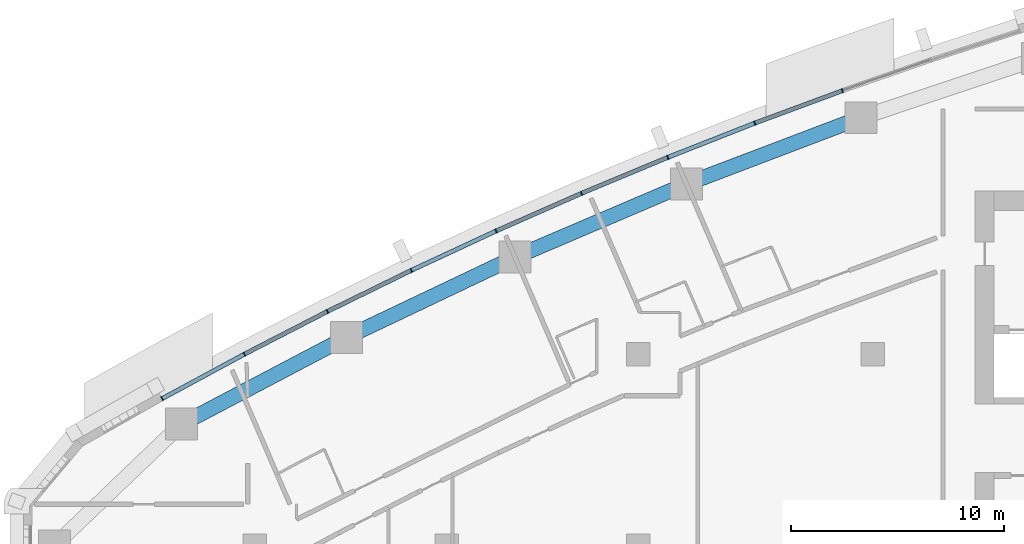
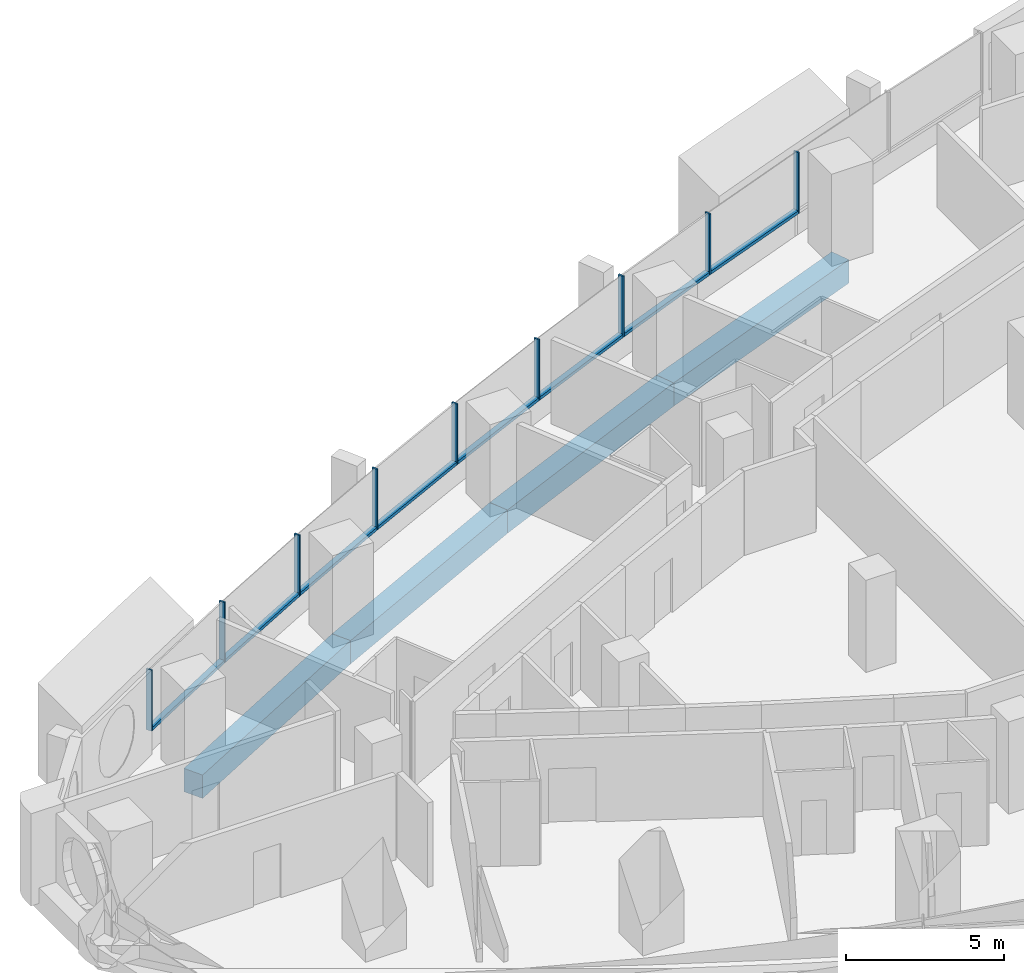
# One storey, part 5 of 17: 17 members, 4 beams, 5 elements without a shape of their own.
"""IFC4 building model written with IfcOpenShell, lengths in metres."""

from ifc_helpers import new_model, si_unit, direction, frame, origin, origin_2d, place, context, subcontext, project, spatial, rectangle, extrude, material, layer, layer_set, material_profile, profile_set, type_object, element, aggregate, save


model = new_model("IFC4")

# Units and contexts
model_context = context("Model", 3, precision=1e-05, world=origin(), true_north=direction((0.0, 1.0)))
body_context = subcontext(model_context, "Body", "Model", "MODEL_VIEW")
ifc_project = project(units=[si_unit("LENGTHUNIT", "METRE"), si_unit("AREAUNIT", "SQUARE_METRE"), si_unit("VOLUMEUNIT", "CUBIC_METRE"), si_unit("PLANEANGLEUNIT", "RADIAN"), si_unit("MASSUNIT", "GRAM", prefix="KILO")], contexts=[model_context])

# Site, building, storey
site_placement = place(None, origin())
site = spatial("IfcSite", under=ifc_project, at=site_placement, CompositionType="ELEMENT")
building_placement = place(site_placement, origin())
building = spatial("IfcBuilding", under=site, at=building_placement, Name="Ostrand Prow Hotel Tower", CompositionType="ELEMENT")
storey_placement = place(building_placement, frame((0.0, 0.0, 130.199951171875)))
storey = spatial("IfcBuildingStorey", under=building, at=storey_placement, Name="L31", CompositionType="ELEMENT", Elevation=130.199951171875)

# Beams
ifc_material_1 = material(Name="Concrete C70/85", Category="concrete")
ifc_material_profile_1 = material_profile(ifc_material_1, rectangle(XDim=0.699951171875, YDim=0.89990234375, at=origin_2d()), Name="RC 700x900")
ifc_profile_set_1 = profile_set([ifc_material_profile_1], Name="Concrete C70/85")
beam_type = type_object("IfcBeamType", Name="Edge beam 700x900 C70/85", PredefinedType="SPANDREL", material=ifc_profile_set_1)
for number, where, z_axis, x_axis, name in (
    (1, (44.438232421875, 20.093017578125, -0.75), (-0.93479358236, -0.355191439055, 0.0), (0.355191439055, -0.93479358236, 0.0), "Edge beam N2-N3"),
    (2, (36.255615234375, 16.98388671875, -0.75), (-0.919700966994, -0.392619575811, 0.0), (0.392619575811, -0.919700966994, 0.0), "Edge beam N3-N4"),
    (3, (28.205078125, 13.547119140625, -0.75), (-0.903083113352, -0.429465819803, 0.0), (0.429465819803, -0.903083113352, 0.0), "Edge beam N4-N5"),
    (4, (20.300048828125, 9.787841796875, -0.75), (-0.885016215308, -0.465560198731, 0.0), (0.465560198731, -0.885016215308, 0.0), "Edge beam N5-N6"),
):
    element("IfcBeam", number, at=place(storey_placement, frame(where, z_axis=z_axis, x_axis=x_axis)), inside=storey, type_object=beam_type, Name=name, PredefinedType="SPANDREL", context=body_context, shape_type="SweptSolid", body=[
        extrude(rectangle(XDim=0.699951171875, YDim=0.89990234375, at=origin_2d()), origin(), (0.0, 0.0, 1.0), 8.75341796875),
    ])

# Curtain wall, member
ifc_material_2 = material(Name="Insulated glass in bronze anodised frame", Category="glass")
ifc_layer = layer(ifc_material_2, 0.199951171875)
ifc_layer_set = layer_set([ifc_layer], Name="Insulated glass in bronze anodised frame")
curtain_wall_type = type_object("IfcCurtainWallType", Name="Strip curtain wall, fritted glass over bronze spandrel", PredefinedType="NOTDEFINED", material=ifc_layer_set)
curtain_wall_1_placement = place(storey_placement, origin())
curtain_wall_1 = element("IfcCurtainWall", 5, at=curtain_wall_1_placement, inside=storey, type_object=curtain_wall_type, Name="CW1 run CWN1", PredefinedType="NOTDEFINED")
ifc_material_3 = material(Name="Bronze anodised aluminium", Category="aluminium")
ifc_material_profile_2 = material_profile(ifc_material_3, rectangle(XDim=0.199951171875, YDim=0.06005859375, at=origin_2d()), Name="Mullion 60x200 bronze anodised aluminium")
ifc_profile_set_2 = profile_set([ifc_material_profile_2], Name="Bronze anodised aluminium")
member_type_1 = type_object("IfcMemberType", Name="Mullion 60x200 bronze anodised aluminium", PredefinedType="MULLION", material=ifc_profile_set_2)
member_1_placement = place(storey_placement, frame((43.5751953125, 21.3642578125, 0.900146484375), z_axis=(0.0, 0.0, 1.0), x_axis=(0.328428177424, -0.944528947293, 0.0)))
member_1 = element("IfcMember", 6, at=member_1_placement, type_object=member_type_1, Name="CW1 mullion 3", PredefinedType="MULLION", context=body_context, shape_type="SweptSolid", body=[
    extrude(rectangle(XDim=0.199951171875, YDim=0.06005859375, at=origin_2d()), origin(), (0.0, 0.0, 1.0), 2.349853515625),
])
aggregate(curtain_wall_1, [member_1])

# Curtain wall, members
curtain_wall_2_placement = place(storey_placement, origin())
curtain_wall_2 = element("IfcCurtainWall", 7, at=curtain_wall_2_placement, inside=storey, type_object=curtain_wall_type, Name="CW1 run CWN2", PredefinedType="NOTDEFINED")
member_2_placement = place(storey_placement, frame((39.462158203125, 19.8408203125, 0.900146484375), z_axis=(0.0, 0.0, 1.0), x_axis=(0.366116334636, -0.930569089059, 0.0)))
member_2 = element("IfcMember", 8, at=member_2_placement, type_object=member_type_1, Name="CW1 mullion 2", PredefinedType="MULLION", context=body_context, shape_type="SweptSolid", body=[
    extrude(rectangle(XDim=0.199951171875, YDim=0.06005859375, at=origin_2d()), origin(), (0.0, 0.0, 1.0), 2.349853515625),
])
member_3_placement = place(storey_placement, frame((35.380615234375, 18.235107421875, 0.900146484375), z_axis=(0.0, 0.0, 1.0), x_axis=(0.366116334636, -0.930569089059, 0.0)))
member_3 = element("IfcMember", 9, at=member_3_placement, type_object=member_type_1, Name="CW1 mullion 3", PredefinedType="MULLION", context=body_context, shape_type="SweptSolid", body=[
    extrude(rectangle(XDim=0.199951171875, YDim=0.06005859375, at=origin_2d()), origin(), (0.0, 0.0, 1.0), 2.349853515625),
])

curtain_wall_3_placement = place(storey_placement, origin())
curtain_wall_3 = element("IfcCurtainWall", 10, at=curtain_wall_3_placement, inside=storey, type_object=curtain_wall_type, Name="CW1 run CWN3", PredefinedType="NOTDEFINED")
member_4_placement = place(storey_placement, frame((31.332275390625, 16.54736328125, 0.900146484375), z_axis=(0.0, 0.0, 1.0), x_axis=(0.403213113347, -0.915106105993, 0.0)))
member_4 = element("IfcMember", 11, at=member_4_placement, type_object=member_type_1, Name="CW1 mullion 2", PredefinedType="MULLION", context=body_context, shape_type="SweptSolid", body=[
    extrude(rectangle(XDim=0.199951171875, YDim=0.06005859375, at=origin_2d()), origin(), (0.0, 0.0, 1.0), 2.349853515625),
])
member_5_placement = place(storey_placement, frame((27.318359375, 14.77880859375, 0.900146484375), z_axis=(0.0, 0.0, 1.0), x_axis=(0.403213113347, -0.915106105993, 0.0)))
member_5 = element("IfcMember", 12, at=member_5_placement, type_object=member_type_1, Name="CW1 mullion 3", PredefinedType="MULLION", context=body_context, shape_type="SweptSolid", body=[
    extrude(rectangle(XDim=0.199951171875, YDim=0.06005859375, at=origin_2d()), origin(), (0.0, 0.0, 1.0), 2.349853515625),
])

curtain_wall_4_placement = place(storey_placement, origin())
curtain_wall_4 = element("IfcCurtainWall", 13, at=curtain_wall_4_placement, inside=storey, type_object=curtain_wall_type, Name="CW1 run CWN4", PredefinedType="NOTDEFINED")
member_6_placement = place(storey_placement, frame((23.341064453125, 12.93017578125, 0.900146484375), z_axis=(0.0, 0.0, 1.0), x_axis=(0.439658592061, -0.898164975061, 0.0)))
member_6 = element("IfcMember", 14, at=member_6_placement, type_object=member_type_1, Name="CW1 mullion 2", PredefinedType="MULLION", context=body_context, shape_type="SweptSolid", body=[
    extrude(rectangle(XDim=0.199951171875, YDim=0.06005859375, at=origin_2d()), origin(), (0.0, 0.0, 1.0), 2.349853515625),
])
member_7_placement = place(storey_placement, frame((19.401611328125, 11.001708984375, 0.900146484375), z_axis=(0.0, 0.0, 1.0), x_axis=(0.439658592061, -0.898164975061, 0.0)))
member_7 = element("IfcMember", 15, at=member_7_placement, type_object=member_type_1, Name="CW1 mullion 3", PredefinedType="MULLION", context=body_context, shape_type="SweptSolid", body=[
    extrude(rectangle(XDim=0.199951171875, YDim=0.06005859375, at=origin_2d()), origin(), (0.0, 0.0, 1.0), 2.349853515625),
])

curtain_wall_5_placement = place(storey_placement, origin())
curtain_wall_5 = element("IfcCurtainWall", 16, at=curtain_wall_5_placement, inside=storey, type_object=curtain_wall_type, Name="CW1 run CWN5", PredefinedType="NOTDEFINED")
member_8_placement = place(storey_placement, frame((15.501708984375, 8.99462890625, 0.900146484375), z_axis=(0.0, 0.0, 1.0), x_axis=(0.475393901316, -0.879773060847, 0.0)))
member_8 = element("IfcMember", 17, at=member_8_placement, type_object=member_type_1, Name="CW1 mullion 2", PredefinedType="MULLION", context=body_context, shape_type="SweptSolid", body=[
    extrude(rectangle(XDim=0.199951171875, YDim=0.06005859375, at=origin_2d()), origin(), (0.0, 0.0, 1.0), 2.349853515625),
])
member_9_placement = place(storey_placement, frame((11.64306640625, 6.909423828125, 0.900146484375), z_axis=(0.0, 0.0, 1.0), x_axis=(0.475393901316, -0.879773060847, 0.0)))
member_9 = element("IfcMember", 18, at=member_9_placement, type_object=member_type_1, Name="CW1 mullion 3", PredefinedType="MULLION", context=body_context, shape_type="SweptSolid", body=[
    extrude(rectangle(XDim=0.199951171875, YDim=0.06005859375, at=origin_2d()), origin(), (0.0, 0.0, 1.0), 2.349853515625),
])

# Member
ifc_material_4 = material(Name="Bronze anodised aluminium", Category="aluminium")
ifc_material_profile_3 = material_profile(ifc_material_4, rectangle(XDim=0.199951171875, YDim=0.1201171875, at=origin_2d()), Name="Transom 120x200 bronze anodised aluminium")
ifc_profile_set_3 = profile_set([ifc_material_profile_3], Name="Bronze anodised aluminium")
member_type_2 = type_object("IfcMemberType", Name="Transom 120x200 bronze anodised aluminium", PredefinedType="USERDEFINED", material=ifc_profile_set_3)
member_10_placement = place(storey_placement, frame((43.547119140625, 21.353759765625, 0.9599609375), z_axis=(-0.937756929379, -0.347292299657, 0.0), x_axis=(0.347292299657, -0.937756929379, 0.0)))
member_10 = element("IfcMember", 19, at=member_10_placement, type_object=member_type_2, Name="CW1 transom 1.1", ObjectType="TRANSOM", PredefinedType="USERDEFINED", context=body_context, shape_type="SweptSolid", body=[
    extrude(rectangle(XDim=0.199951171875, YDim=0.1201171875, at=origin_2d()), origin(), (0.0, 0.0, 1.0), 4.326171875),
])

member_11_placement = place(storey_placement, frame((39.434326171875, 19.829833984375, 0.9599609375), z_axis=(-0.930563430162, -0.366130717701, 0.0), x_axis=(0.366130717701, -0.930563430162, 0.0)))
member_11 = element("IfcMember", 20, at=member_11_placement, type_object=member_type_2, Name="CW1 transom 2.1", ObjectType="TRANSOM", PredefinedType="USERDEFINED", context=body_context, shape_type="SweptSolid", body=[
    extrude(rectangle(XDim=0.199951171875, YDim=0.1201171875, at=origin_2d()), origin(), (0.0, 0.0, 1.0), 4.326171875),
])

aggregate(curtain_wall_2, [member_2, member_3, member_10, member_11])

member_12_placement = place(storey_placement, frame((35.352783203125, 18.223388671875, 0.9599609375), z_axis=(-0.923028493412, -0.384731595206, 0.0), x_axis=(0.384731595206, -0.923028493412, 0.0)))
member_12 = element("IfcMember", 21, at=member_12_placement, type_object=member_type_2, Name="CW1 transom 1.1", ObjectType="TRANSOM", PredefinedType="USERDEFINED", context=body_context, shape_type="SweptSolid", body=[
    extrude(rectangle(XDim=0.199951171875, YDim=0.1201171875, at=origin_2d()), origin(), (0.0, 0.0, 1.0), 4.325927734375),
])

member_13_placement = place(storey_placement, frame((31.3046875, 16.535400390625, 0.9599609375), z_axis=(-0.91509853977, -0.403230284715, 0.0), x_axis=(0.403230284715, -0.91509853977, 0.0)))
member_13 = element("IfcMember", 22, at=member_13_placement, type_object=member_type_2, Name="CW1 transom 2.1", ObjectType="TRANSOM", PredefinedType="USERDEFINED", context=body_context, shape_type="SweptSolid", body=[
    extrude(rectangle(XDim=0.199951171875, YDim=0.1201171875, at=origin_2d()), origin(), (0.0, 0.0, 1.0), 4.325927734375),
])

aggregate(curtain_wall_3, [member_4, member_5, member_12, member_13])

member_14_placement = place(storey_placement, frame((27.291259765625, 14.766357421875, 0.9599609375), z_axis=(-0.906796377468, -0.421568890944, 0.0), x_axis=(0.421568890944, -0.906796377468, 0.0)))
member_14 = element("IfcMember", 23, at=member_14_placement, type_object=member_type_2, Name="CW1 transom 1.1", ObjectType="TRANSOM", PredefinedType="USERDEFINED", context=body_context, shape_type="SweptSolid", body=[
    extrude(rectangle(XDim=0.199951171875, YDim=0.1201171875, at=origin_2d()), origin(), (0.0, 0.0, 1.0), 4.326171875),
])

member_15_placement = place(storey_placement, frame((23.314208984375, 12.9169921875, 0.9599609375), z_axis=(-0.89815413626, -0.439680733623, 0.0), x_axis=(0.439680733623, -0.89815413626, 0.0)))
member_15 = element("IfcMember", 24, at=member_15_placement, type_object=member_type_2, Name="CW1 transom 2.1", ObjectType="TRANSOM", PredefinedType="USERDEFINED", context=body_context, shape_type="SweptSolid", body=[
    extrude(rectangle(XDim=0.199951171875, YDim=0.1201171875, at=origin_2d()), origin(), (0.0, 0.0, 1.0), 4.326171875),
])

aggregate(curtain_wall_4, [member_6, member_7, member_14, member_15])

member_16_placement = place(storey_placement, frame((19.375, 10.988037109375, 0.9599609375), z_axis=(-0.88914020052, -0.457634902318, 0.0), x_axis=(0.457634902318, -0.88914020052, 0.0)))
member_16 = element("IfcMember", 25, at=member_16_placement, type_object=member_type_2, Name="CW1 transom 1.1", ObjectType="TRANSOM", PredefinedType="USERDEFINED", context=body_context, shape_type="SweptSolid", body=[
    extrude(rectangle(XDim=0.199951171875, YDim=0.1201171875, at=origin_2d()), origin(), (0.0, 0.0, 1.0), 4.325927734375),
])

member_17_placement = place(storey_placement, frame((15.475341796875, 8.980224609375, 0.9599609375), z_axis=(-0.879765206929, -0.475408435639, 0.0), x_axis=(0.475408435639, -0.879765206929, 0.0)))
member_17 = element("IfcMember", 26, at=member_17_placement, type_object=member_type_2, Name="CW1 transom 2.1", ObjectType="TRANSOM", PredefinedType="USERDEFINED", context=body_context, shape_type="SweptSolid", body=[
    extrude(rectangle(XDim=0.199951171875, YDim=0.1201171875, at=origin_2d()), origin(), (0.0, 0.0, 1.0), 4.326171875),
])

aggregate(curtain_wall_5, [member_8, member_9, member_16, member_17])

save(model, "model.ifc")
